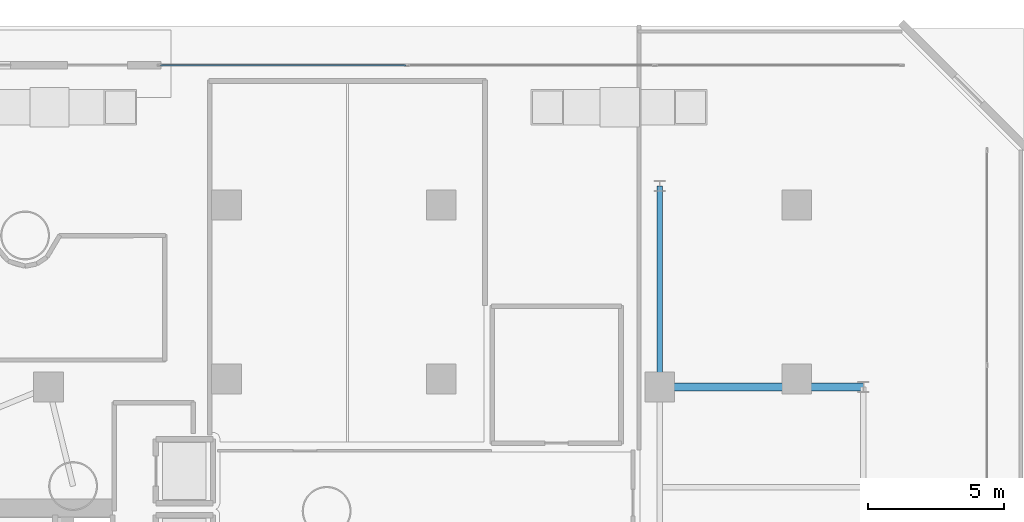
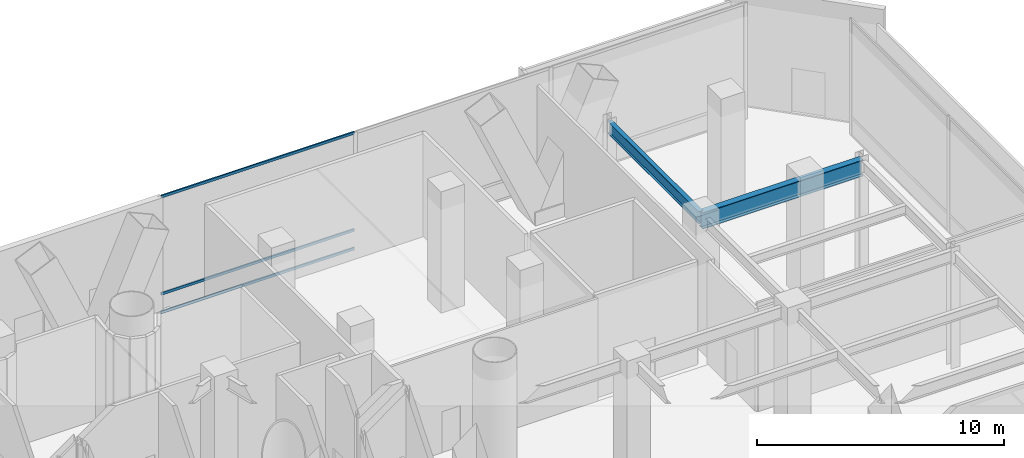
# One storey, part 20 of 40: 3 members, 2 beams, 1 element without a shape of its own.
"""IFC4 building model written with IfcOpenShell, lengths in metres."""

from ifc_helpers import new_model, si_unit, direction, frame, origin, origin_2d, place, context, subcontext, project, spatial, hollow_rectangle, i_section, extrude, material, layer, layer_set, material_profile, profile_set, type_object, element, aggregate, save


model = new_model("IFC4")

# Units and contexts
model_context = context("Model", 3, precision=1e-05, world=origin(), true_north=direction((0.0, 1.0)))
body_context = subcontext(model_context, "Body", "Model", "MODEL_VIEW")
ifc_project = project(units=[si_unit("LENGTHUNIT", "METRE"), si_unit("AREAUNIT", "SQUARE_METRE"), si_unit("VOLUMEUNIT", "CUBIC_METRE"), si_unit("PLANEANGLEUNIT", "RADIAN"), si_unit("MASSUNIT", "GRAM", prefix="KILO")], contexts=[model_context])

# Site, building, storey
site_placement = place(None, origin())
site = spatial("IfcSite", under=ifc_project, at=site_placement, CompositionType="ELEMENT")
building_placement = place(site_placement, origin())
building = spatial("IfcBuilding", under=site, at=building_placement, Name="Qianvela Tower", CompositionType="ELEMENT")
storey_placement = place(building_placement, origin())
storey = spatial("IfcBuildingStorey", under=building, at=storey_placement, Name="L00", CompositionType="ELEMENT", Elevation=0.0)

# Beams
ifc_material_1 = material(Name="Steel Q355B", Category="steel")
ifc_material_profile_1 = material_profile(ifc_material_1, i_section(OverallWidth=0.199951171875, OverallDepth=0.60009765625, WebThickness=0.010986328125, FlangeThickness=0.01708984375, at=origin_2d()), Name="HN600x200x11x17")
ifc_profile_set_1 = profile_set([ifc_material_profile_1], Name="Steel Q355B")
beam_type_1 = type_object("IfcBeamType", Name="BM-HN600-GIRD", PredefinedType="BEAM", material=ifc_profile_set_1)
beam_1_placement = place(storey_placement, frame((60.0, 37.199951171875, 5.47802734375), z_axis=(0.0, 1.0, 0.0), x_axis=(-1.0, 0.0, 0.0)))
element("IfcBeam", 1, at=beam_1_placement, inside=storey, type_object=beam_type_1, Name="L00 North-South Grid Girder 31", PredefinedType="BEAM", context=body_context, shape_type="SweptSolid", body=[
    extrude(i_section(OverallWidth=0.199951171875, OverallDepth=0.60009765625, WebThickness=0.010986328125, FlangeThickness=0.01708984375, at=origin_2d()), origin(), (0.0, 0.0, 1.0), 7.400146484375),
])
ifc_material_2 = material(Name="Steel Q355B", Category="steel")
ifc_material_profile_2 = material_profile(ifc_material_2, i_section(OverallWidth=0.300048828125, OverallDepth=0.800048828125, WebThickness=0.013916015625, FlangeThickness=0.02587890625, at=origin_2d()), Name="HN800x300x14x26")
ifc_profile_set_2 = profile_set([ifc_material_profile_2], Name="Steel Q355B")
beam_type_2 = type_object("IfcBeamType", Name="BM-HN800-SPAND", PredefinedType="SPANDREL", material=ifc_profile_set_2)
beam_2_placement = place(storey_placement, frame((60.0, 37.199951171875, 5.3779296875), z_axis=(1.0, 0.0, 0.0), x_axis=(0.0, 1.0, 0.0)))
element("IfcBeam", 2, at=beam_2_placement, inside=storey, type_object=beam_type_2, Name="L00 East-West Grid Girder 15", PredefinedType="SPANDREL", context=body_context, shape_type="SweptSolid", body=[
    extrude(i_section(OverallWidth=0.300048828125, OverallDepth=0.800048828125, WebThickness=0.013916015625, FlangeThickness=0.02587890625, at=origin_2d()), origin(), (0.0, 0.0, 1.0), 7.5),
])

# Curtain wall, members
ifc_material_3 = material(Name="Anodised Architectural Aluminium and Low-E Glass", Category="aluminium")
ifc_layer = layer(ifc_material_3, 0.199951171875)
ifc_layer_set = layer_set([ifc_layer], Name="Anodised Architectural Aluminium and Low-E Glass")
curtain_wall_type = type_object("IfcCurtainWallType", Name="CW-CONCOURSE", PredefinedType="USERDEFINED", material=ifc_layer_set)
curtain_wall_placement = place(storey_placement, origin())
curtain_wall = element("IfcCurtainWall", 3, at=curtain_wall_placement, inside=storey, type_object=curtain_wall_type, Name="L00 CW-CONCOURSE Curtain Wall 05A", ObjectType="CURTAIN_WALL_SYSTEM", PredefinedType="USERDEFINED")
ifc_material_4 = material(Name="Anodised Architectural Aluminium 6063-T6", Category="aluminium")
ifc_material_profile_3 = material_profile(ifc_material_4, hollow_rectangle(XDim=0.06494140625, YDim=0.1298828125, WallThickness=0.00439453125, at=origin_2d()), Name="ALU-TRAN-65x130")
ifc_profile_set_3 = profile_set([ifc_material_profile_3], Name="Anodised Architectural Aluminium 6063-T6")
member_type = type_object("IfcMemberType", Name="CW-CONCOURSE-TRAN", PredefinedType="USERDEFINED", material=ifc_profile_set_3)
member_1_placement = place(storey_placement, frame((50.6484375, 49.050048828125, 0.032470703125), z_axis=(-1.0, 0.0, 0.0), x_axis=(0.0, -1.0, 0.0)))
member_1 = element("IfcMember", 4, at=member_1_placement, type_object=member_type, Name="CW-1 transom 3.1", ObjectType="TRANSOM", PredefinedType="USERDEFINED", context=body_context, shape_type="SweptSolid", body=[
    extrude(hollow_rectangle(XDim=0.06494140625, YDim=0.1298828125, WallThickness=0.00439453125, at=origin_2d()), origin(), (0.0, 0.0, 1.0), 9.0283203125),
])
member_2_placement = place(storey_placement, frame((50.6484375, 49.050048828125, 0.949951171875), z_axis=(-1.0, 0.0, 0.0), x_axis=(0.0, -1.0, 0.0)))
member_2 = element("IfcMember", 5, at=member_2_placement, type_object=member_type, Name="CW-1 transom 3.2", ObjectType="TRANSOM", PredefinedType="USERDEFINED", context=body_context, shape_type="SweptSolid", body=[
    extrude(hollow_rectangle(XDim=0.06494140625, YDim=0.1298828125, WallThickness=0.00439453125, at=origin_2d()), origin(), (0.0, 0.0, 1.0), 9.0283203125),
])
member_3_placement = place(storey_placement, frame((50.6484375, 49.050048828125, 5.74755859375), z_axis=(-1.0, 0.0, 0.0), x_axis=(0.0, -1.0, 0.0)))
member_3 = element("IfcMember", 6, at=member_3_placement, type_object=member_type, Name="CW-1 transom 3.3", ObjectType="TRANSOM", PredefinedType="USERDEFINED", context=body_context, shape_type="SweptSolid", body=[
    extrude(hollow_rectangle(XDim=0.06494140625, YDim=0.1298828125, WallThickness=0.00439453125, at=origin_2d()), origin(), (0.0, 0.0, 1.0), 9.0283203125),
])
aggregate(curtain_wall, [member_1, member_2, member_3])

save(model, "model.ifc")
